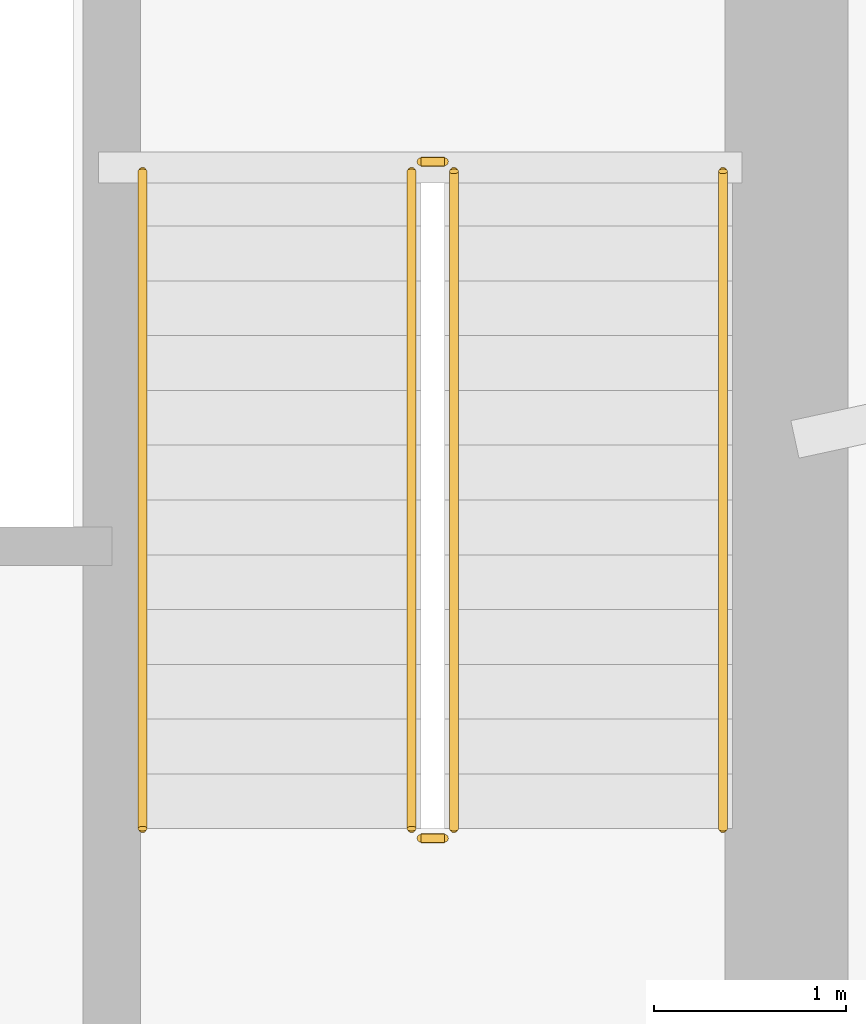
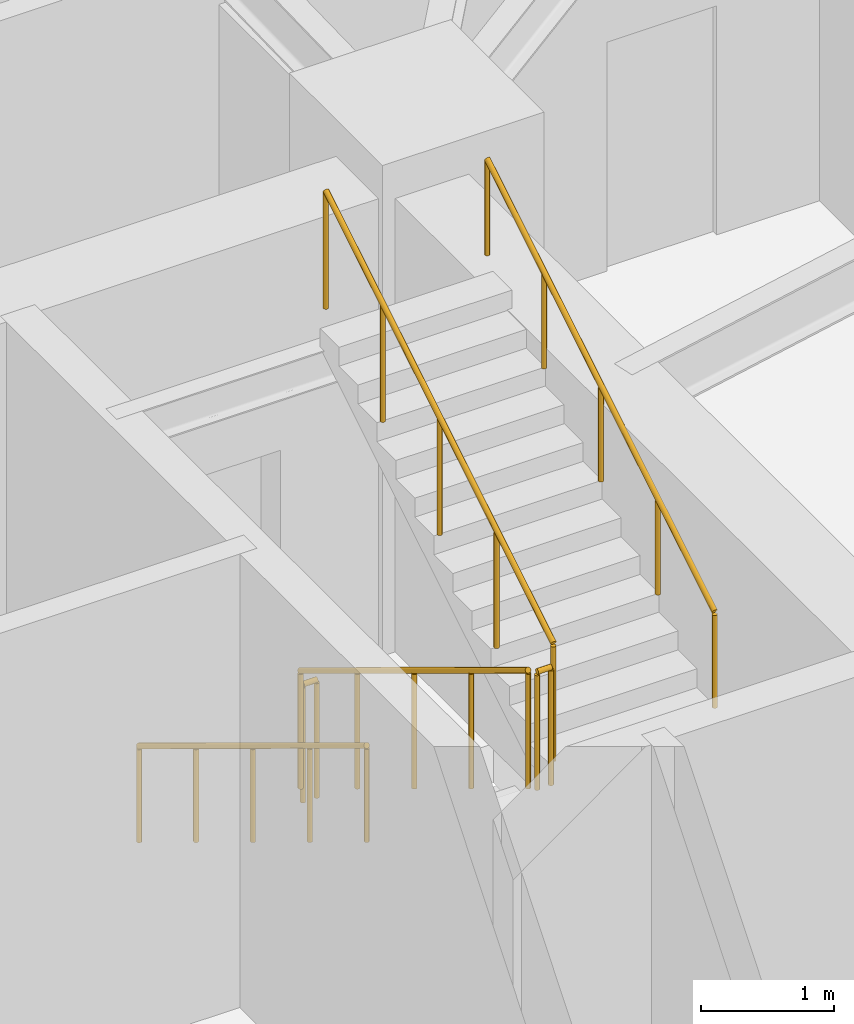
# One storey, part 14 of 14: 6 railings.
"""IFC4 building model written with IfcOpenShell, lengths in metres."""

from ifc_helpers import new_model, si_unit, direction, frame, origin, origin_2d, place, context, subcontext, project, spatial, circle, extrude, material, type_object, element, save


model = new_model("IFC4")

# Units and contexts
model_context = context("Model", 3, precision=1e-05, world=origin(), true_north=direction((0.0, 1.0)))
body_context = subcontext(model_context, "Body", "Model", "MODEL_VIEW")
ifc_project = project(units=[si_unit("LENGTHUNIT", "METRE"), si_unit("AREAUNIT", "SQUARE_METRE"), si_unit("VOLUMEUNIT", "CUBIC_METRE"), si_unit("PLANEANGLEUNIT", "RADIAN"), si_unit("MASSUNIT", "GRAM", prefix="KILO")], contexts=[model_context])

# Site, building, storey
site_placement = place(None, origin())
site = spatial("IfcSite", under=ifc_project, at=site_placement, CompositionType="ELEMENT")
building_placement = place(site_placement, origin())
building = spatial("IfcBuilding", under=site, at=building_placement, Name="Qobustan Lattice House", CompositionType="ELEMENT")
storey_placement = place(building_placement, frame((0.0, 0.0, -4.5)))
storey = spatial("IfcBuildingStorey", under=building, at=storey_placement, Name="B01", CompositionType="ELEMENT", Elevation=-4.5)

# Railings
ifc_material_1 = material(Name="Brushed stainless steel handrail", Category="steel")
railing_type_1 = type_object("IfcRailingType", Name="RAL-HR-920", PredefinedType="HANDRAIL", material=ifc_material_1)
railing_1_placement = place(storey_placement, frame((15.179931640625, 3.5, 0.173095703125)))
element("IfcRailing", 1, at=railing_1_placement, inside=storey, type_object=railing_type_1, Name="B01 ST-E1 stair handrail 1", PredefinedType="HANDRAIL", context=body_context, shape_type="SweptSolid", body=[
    extrude(circle(Radius=0.02392578125, at=origin_2d()), frame((0.0, 0.0, 0.8759765625), z_axis=(0.0, -0.854729506542, 0.519073665916), x_axis=(1.0, 0.0, 0.0)), (0.0, 0.0, 1.0), 4.001220703125),
    extrude(circle(Radius=0.02099609375, at=origin_2d()), origin(), (0.0, 0.0, 1.0), 0.851806640625),
    extrude(circle(Radius=0.02099609375, at=origin_2d()), frame((0.0, -0.85498046875, 0.519287109375)), (0.0, 0.0, 1.0), 0.851806640625),
    extrude(circle(Radius=0.02099609375, at=origin_2d()), frame((0.0, -1.7099609375, 1.03857421875)), (0.0, 0.0, 1.0), 0.851806640625),
    extrude(circle(Radius=0.02099609375, at=origin_2d()), frame((0.0, -2.56494140625, 1.5576171875)), (0.0, 0.0, 1.0), 0.851806640625),
    extrude(circle(Radius=0.02099609375, at=origin_2d()), frame((0.0, -3.419921875, 2.076904296875)), (0.0, 0.0, 1.0), 0.851806640625),
])
railing_2_placement = place(storey_placement, frame((18.199951171875, 0.080078125, 2.423095703125)))
element("IfcRailing", 2, at=railing_2_placement, inside=storey, type_object=railing_type_1, Name="B01 ST-E1 stair handrail 2", PredefinedType="HANDRAIL", context=body_context, shape_type="SweptSolid", body=[
    extrude(circle(Radius=0.02392578125, at=origin_2d()), frame((0.0, 0.0, 0.8759765625), z_axis=(0.0, 0.854729506542, 0.519073665916), x_axis=(-1.0, 0.0, 0.0)), (0.0, 0.0, 1.0), 4.001220703125),
    extrude(circle(Radius=0.02099609375, at=origin_2d()), origin(), (0.0, 0.0, 1.0), 0.851806640625),
    extrude(circle(Radius=0.02099609375, at=origin_2d()), frame((0.0, 0.85498046875, 0.519287109375)), (0.0, 0.0, 1.0), 0.851806640625),
    extrude(circle(Radius=0.02099609375, at=origin_2d()), frame((0.0, 1.7099609375, 1.03857421875)), (0.0, 0.0, 1.0), 0.851806640625),
    extrude(circle(Radius=0.02099609375, at=origin_2d()), frame((0.0, 2.56494140625, 1.5576171875)), (0.0, 0.0, 1.0), 0.851806640625),
    extrude(circle(Radius=0.02099609375, at=origin_2d()), frame((0.0, 3.419921875, 2.076904296875)), (0.0, 0.0, 1.0), 0.851806640625),
])
ifc_material_2 = material(Name="Painted galvanized steel guardrail", Category="steel")
railing_type_2 = type_object("IfcRailingType", Name="RAL-STG-1150", PredefinedType="GUARDRAIL", material=ifc_material_2)
railing_3_placement = place(storey_placement, frame((16.580078125, 3.5, 0.173095703125)))
element("IfcRailing", 3, at=railing_3_placement, inside=storey, type_object=railing_type_2, Name="B01 ST-E1 stair guard 1", PredefinedType="GUARDRAIL", context=body_context, shape_type="SweptSolid", body=[
    extrude(circle(Radius=0.02392578125, at=origin_2d()), frame((0.0, 0.0, 1.076171875), z_axis=(0.0, -0.854729506542, 0.519073665916), x_axis=(1.0, 0.0, 0.0)), (0.0, 0.0, 1.0), 4.001220703125),
    extrude(circle(Radius=0.02099609375, at=origin_2d()), origin(), (0.0, 0.0, 1.0), 1.052001953125),
    extrude(circle(Radius=0.02099609375, at=origin_2d()), frame((0.0, -0.85498046875, 0.519287109375)), (0.0, 0.0, 1.0), 1.052001953125),
    extrude(circle(Radius=0.02099609375, at=origin_2d()), frame((0.0, -1.7099609375, 1.03857421875)), (0.0, 0.0, 1.0), 1.052001953125),
    extrude(circle(Radius=0.02099609375, at=origin_2d()), frame((0.0, -2.56494140625, 1.5576171875)), (0.0, 0.0, 1.0), 1.052001953125),
    extrude(circle(Radius=0.02099609375, at=origin_2d()), frame((0.0, -3.419921875, 2.076904296875)), (0.0, 0.0, 1.0), 1.052001953125),
])
railing_4_placement = place(storey_placement, frame((16.6298828125, 0.030029296875, 2.25)))
element("IfcRailing", 4, at=railing_4_placement, inside=storey, type_object=railing_type_2, Name="B01 ST-E1 stair guard 2", PredefinedType="GUARDRAIL", context=body_context, shape_type="SweptSolid", body=[
    extrude(circle(Radius=0.02392578125, at=origin_2d()), frame((0.0, 0.0, 1.076171875), z_axis=(1.0, 0.0, 0.0), x_axis=(0.0, 1.0, 0.0)), (0.0, 0.0, 1.0), 0.1201171875),
    extrude(circle(Radius=0.02099609375, at=origin_2d()), origin(), (0.0, 0.0, 1.0), 1.052001953125),
    extrude(circle(Radius=0.02099609375, at=origin_2d()), frame((0.1201171875, 0.0, 0.0)), (0.0, 0.0, 1.0), 1.052001953125),
])
railing_5_placement = place(storey_placement, frame((16.800048828125, 0.080078125, 2.423095703125)))
element("IfcRailing", 5, at=railing_5_placement, inside=storey, type_object=railing_type_2, Name="B01 ST-E1 stair guard 3", PredefinedType="GUARDRAIL", context=body_context, shape_type="SweptSolid", body=[
    extrude(circle(Radius=0.02392578125, at=origin_2d()), frame((0.0, 0.0, 1.076171875), z_axis=(0.0, 0.854729506542, 0.519073665916), x_axis=(-1.0, 0.0, 0.0)), (0.0, 0.0, 1.0), 4.001220703125),
    extrude(circle(Radius=0.02099609375, at=origin_2d()), origin(), (0.0, 0.0, 1.0), 1.052001953125),
    extrude(circle(Radius=0.02099609375, at=origin_2d()), frame((0.0, 0.85498046875, 0.519287109375)), (0.0, 0.0, 1.0), 1.052001953125),
    extrude(circle(Radius=0.02099609375, at=origin_2d()), frame((0.0, 1.7099609375, 1.03857421875)), (0.0, 0.0, 1.0), 1.052001953125),
    extrude(circle(Radius=0.02099609375, at=origin_2d()), frame((0.0, 2.56494140625, 1.5576171875)), (0.0, 0.0, 1.0), 1.052001953125),
    extrude(circle(Radius=0.02099609375, at=origin_2d()), frame((0.0, 3.419921875, 2.076904296875)), (0.0, 0.0, 1.0), 1.052001953125),
])
railing_6_placement = place(storey_placement, frame((16.6298828125, 3.550048828125, 0.0)))
element("IfcRailing", 6, at=railing_6_placement, inside=storey, type_object=railing_type_2, Name="B01 ST-E1 stair guard 4", PredefinedType="GUARDRAIL", context=body_context, shape_type="SweptSolid", body=[
    extrude(circle(Radius=0.02392578125, at=origin_2d()), frame((0.0, 0.0, 1.076171875), z_axis=(1.0, 0.0, 0.0), x_axis=(0.0, 1.0, 0.0)), (0.0, 0.0, 1.0), 0.1201171875),
    extrude(circle(Radius=0.02099609375, at=origin_2d()), origin(), (0.0, 0.0, 1.0), 1.052001953125),
    extrude(circle(Radius=0.02099609375, at=origin_2d()), frame((0.1201171875, 0.0, 0.0)), (0.0, 0.0, 1.0), 1.052001953125),
])

save(model, "model.ifc")
